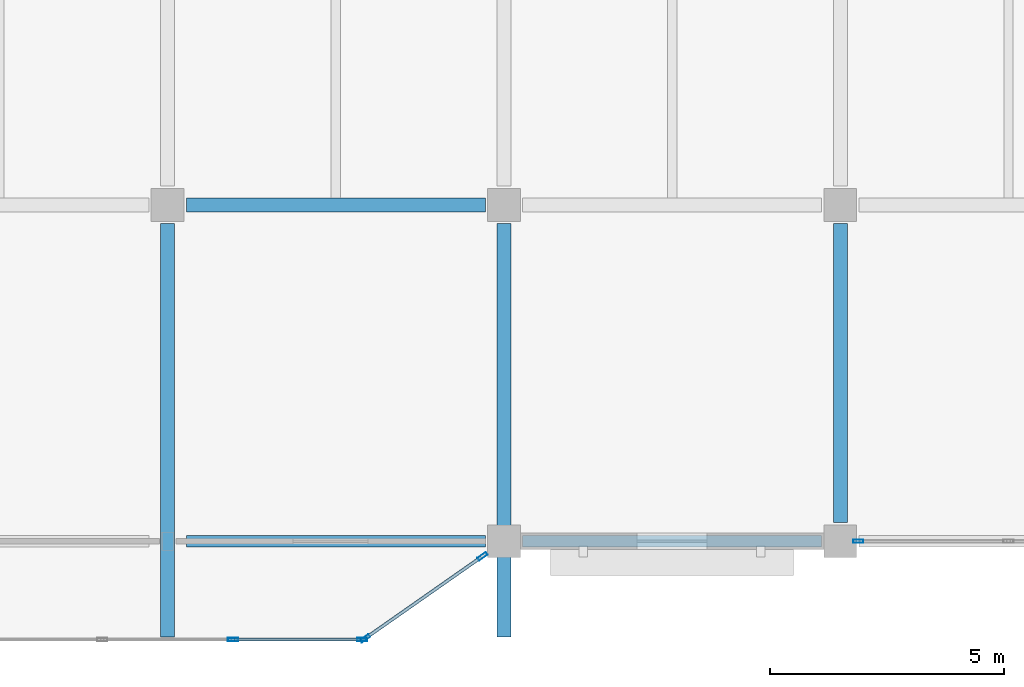
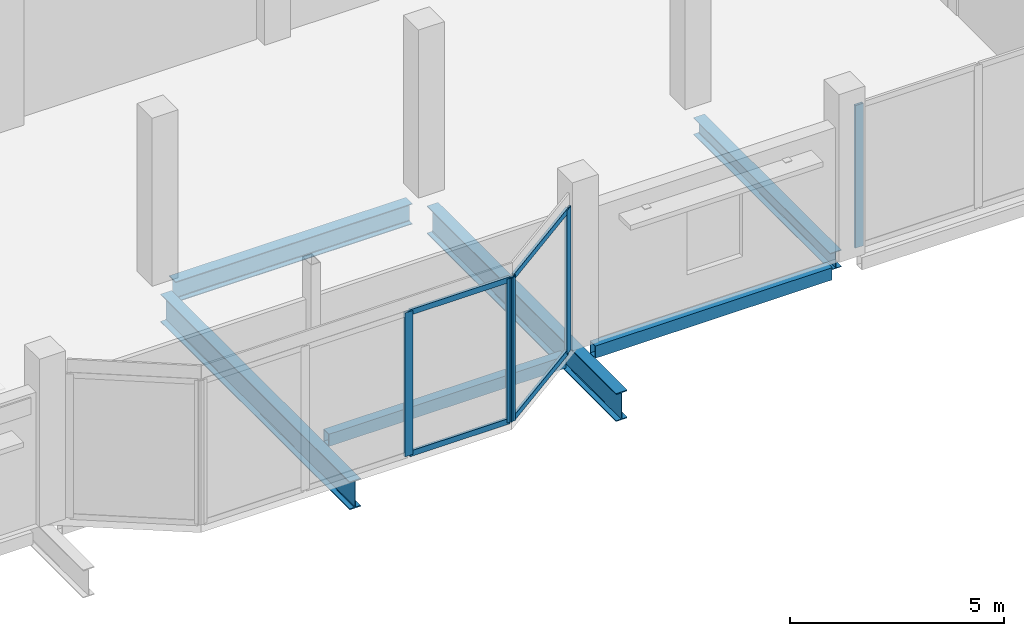
# One storey, part 65 of 120: 9 members, 6 beams, 3 elements without a shape of their own.
"""IFC4 building model written with IfcOpenShell, lengths in metres."""

from ifc_helpers import new_model, si_unit, direction, frame, origin, origin_2d, place, context, subcontext, project, spatial, hollow_rectangle, i_section, extrude, material, material_profile, profile_set, type_object, element, aggregate, save


model = new_model("IFC4")

# Units and contexts
model_context = context("Model", 3, precision=1e-05, world=origin(), true_north=direction((0.0, 1.0)))
body_context = subcontext(model_context, "Body", "Model", "MODEL_VIEW")
ifc_project = project(units=[si_unit("LENGTHUNIT", "METRE"), si_unit("AREAUNIT", "SQUARE_METRE"), si_unit("VOLUMEUNIT", "CUBIC_METRE"), si_unit("PLANEANGLEUNIT", "RADIAN"), si_unit("MASSUNIT", "GRAM", prefix="KILO")], contexts=[model_context])

# Site, building, storey
site_placement = place(None, origin())
site = spatial("IfcSite", under=ifc_project, at=site_placement, CompositionType="ELEMENT")
building_placement = place(site_placement, origin())
building = spatial("IfcBuilding", under=site, at=building_placement, Name="Vesperath Aquatics Centre", CompositionType="ELEMENT")
storey_placement = place(building_placement, frame((0.0, 0.0, 10.199951171875)))
storey = spatial("IfcBuildingStorey", under=building, at=storey_placement, Name="L02", CompositionType="ELEMENT", Elevation=10.199951171875)

# Beams
ifc_material_1 = material(Name="Steel Q355D", Category="steel")
ifc_material_profile_1 = material_profile(ifc_material_1, i_section(OverallWidth=0.300048828125, OverallDepth=0.800048828125, WebThickness=0.013916015625, FlangeThickness=0.02587890625, FilletRadius=0.028076171875, at=origin_2d()), Name="HN 800x300x14x26")
ifc_profile_set_1 = profile_set([ifc_material_profile_1], Name="Steel Q355D")
beam_type_1 = type_object("IfcBeamType", Name="BM-G07", PredefinedType="BEAM", material=ifc_profile_set_1)
for number, where, z_axis, x_axis, name in (
    (1, (144.0, -2.050048828125, -0.659912109375), (0.0, 1.0, 0.0), (-1.0, 0.0, 0.0), "Floor Girder B07 L02 21 A-B"),
    (2, (151.199951171875, -2.050048828125, -0.659912109375), (0.0, 1.0, 0.0), (-1.0, 0.0, 0.0), "Floor Girder B07 L02 22 A-B"),
):
    element("IfcBeam", number, at=place(storey_placement, frame(where, z_axis=z_axis, x_axis=x_axis)), inside=storey, type_object=beam_type_1, Name=name, PredefinedType="BEAM", context=body_context, shape_type="SweptSolid", body=[
        extrude(i_section(OverallWidth=0.300048828125, OverallDepth=0.800048828125, WebThickness=0.013916015625, FlangeThickness=0.02587890625, FilletRadius=0.028076171875, at=origin_2d()), origin(), (0.0, 0.0, 1.0), 8.85009765625),
    ])
ifc_material_2 = material(Name="Steel Q355C", Category="steel")
ifc_material_profile_2 = material_profile(ifc_material_2, i_section(OverallWidth=0.300048828125, OverallDepth=0.587890625, WebThickness=0.011962890625, FlangeThickness=0.02001953125, FilletRadius=0.028076171875, at=origin_2d()), Name="HM 588x300x12x20")
ifc_profile_set_2 = profile_set([ifc_material_profile_2], Name="Steel Q355C")
beam_type_2 = type_object("IfcBeamType", Name="BM-G09", PredefinedType="BEAM", material=ifc_profile_set_2)
beam_1_placement = place(storey_placement, frame((144.39990234375, 7.199951171875, -0.553955078125), z_axis=(1.0, 0.0, 0.0), x_axis=(0.0, 1.0, 0.0)))
element("IfcBeam", 3, at=beam_1_placement, inside=storey, type_object=beam_type_2, Name="Floor Girder B09 L02 B 21-22", PredefinedType="BEAM", context=body_context, shape_type="SweptSolid", body=[
    extrude(i_section(OverallWidth=0.300048828125, OverallDepth=0.587890625, WebThickness=0.011962890625, FlangeThickness=0.02001953125, FilletRadius=0.028076171875, at=origin_2d()), origin(), (0.0, 0.0, 1.0), 6.400146484375),
])
ifc_material_profile_3 = material_profile(ifc_material_2, i_section(OverallWidth=0.300048828125, OverallDepth=0.488037109375, WebThickness=0.010986328125, FlangeThickness=0.01806640625, FilletRadius=0.02587890625, at=origin_2d()), Name="HM 488x300x11x18")
ifc_profile_set_3 = profile_set([ifc_material_profile_3], Name="Steel Q355C")
beam_type_3 = type_object("IfcBeamType", Name="BM-G10", PredefinedType="BEAM", material=ifc_profile_set_3)
beam_2_placement = place(storey_placement, frame((158.39990234375, 0.39990234375, -0.50390625), z_axis=(0.0, 1.0, 0.0), x_axis=(-1.0, 0.0, 0.0)))
element("IfcBeam", 4, at=beam_2_placement, inside=storey, type_object=beam_type_3, Name="Floor Girder B10 L02 23 A-B", PredefinedType="BEAM", context=body_context, shape_type="SweptSolid", body=[
    extrude(i_section(OverallWidth=0.300048828125, OverallDepth=0.488037109375, WebThickness=0.010986328125, FlangeThickness=0.01806640625, FilletRadius=0.02587890625, at=origin_2d()), origin(), (0.0, 0.0, 1.0), 6.400146484375),
])
ifc_material_profile_4 = material_profile(ifc_material_1, hollow_rectangle(XDim=0.25, YDim=0.35009765625, WallThickness=0.011962890625, at=origin_2d()), Name="RHS 350x250x12")
ifc_profile_set_4 = profile_set([ifc_material_profile_4], Name="Steel Q355D")
beam_type_4 = type_object("IfcBeamType", Name="BM-SP02", PredefinedType="SPANDREL", material=ifc_profile_set_4)
beam_3_placement = place(storey_placement, frame((144.39990234375, 0.0, -0.43505859375), z_axis=(1.0, 0.0, 0.0), x_axis=(0.0, 1.0, 0.0)))
element("IfcBeam", 5, at=beam_3_placement, inside=storey, type_object=beam_type_4, Name="Floor Girder SP02 L02 A 21-22", PredefinedType="SPANDREL", context=body_context, shape_type="SweptSolid", body=[
    extrude(hollow_rectangle(XDim=0.25, YDim=0.35009765625, WallThickness=0.011962890625, at=origin_2d()), origin(), (0.0, 0.0, 1.0), 6.400146484375),
])
beam_4_placement = place(storey_placement, frame((151.60009765625, 0.0, -0.43505859375), z_axis=(1.0, 0.0, 0.0), x_axis=(0.0, 1.0, 0.0)))
element("IfcBeam", 6, at=beam_4_placement, inside=storey, type_object=beam_type_4, Name="Floor Girder SP02 L02 A 22-23", PredefinedType="SPANDREL", context=body_context, shape_type="SweptSolid", body=[
    extrude(hollow_rectangle(XDim=0.25, YDim=0.35009765625, WallThickness=0.011962890625, at=origin_2d()), origin(), (0.0, 0.0, 1.0), 6.39990234375),
])

# Curtain wall, member
ifc_material_3 = material(Name="Thermally broken anodised bronze aluminium curtain wall", Category="aluminium")
curtain_wall_type_1 = type_object("IfcCurtainWallType", Name="CW-06", PredefinedType="NOTDEFINED", material=ifc_material_3)
curtain_wall_1_placement = place(storey_placement, origin())
curtain_wall_1 = element("IfcCurtainWall", 7, at=curtain_wall_1_placement, inside=storey, type_object=curtain_wall_type_1, Name="Facade Curtain Wall CW06 L02_S_22_00", PredefinedType="NOTDEFINED")
ifc_material_4 = material(Name="Thermally broken anodised aluminium", Category="aluminium")
ifc_material_profile_5 = material_profile(ifc_material_4, hollow_rectangle(XDim=0.070068359375, YDim=0.219970703125, WallThickness=0.0048828125, at=origin_2d()), Name="CWM 70x220x5")
ifc_profile_set_5 = profile_set([ifc_material_profile_5], Name="Thermally broken anodised aluminium")
member_type_1 = type_object("IfcMemberType", Name="MB-CWM2", PredefinedType="MULLION", material=ifc_profile_set_5)
member_1_placement = place(storey_placement, frame((158.784912109375, 0.0, 0.0), z_axis=(0.0, 0.0, 1.0), x_axis=(0.0, 1.0, 0.0)))
member_1 = element("IfcMember", 8, at=member_1_placement, type_object=member_type_1, Name="CW06 mullion 1", PredefinedType="MULLION", context=body_context, shape_type="SweptSolid", body=[
    extrude(hollow_rectangle(XDim=0.070068359375, YDim=0.219970703125, WallThickness=0.0048828125, at=origin_2d()), origin(), (0.0, 0.0, 1.0), 4.072021484375),
])
aggregate(curtain_wall_1, [member_1])

# Curtain wall, members
curtain_wall_type_2 = type_object("IfcCurtainWallType", Name="CW-02", PredefinedType="NOTDEFINED", material=ifc_material_3)
curtain_wall_2_placement = place(storey_placement, origin())
curtain_wall_2 = element("IfcCurtainWall", 9, at=curtain_wall_2_placement, inside=storey, type_object=curtain_wall_type_2, Name="South Boulevard Bow Oriel Curtain Wall L02-C", PredefinedType="NOTDEFINED")
member_2_placement = place(storey_placement, frame((145.39990234375, -2.10009765625, 0.0), z_axis=(0.0, 0.0, 1.0), x_axis=(0.0, 1.0, 0.0)))
member_2 = element("IfcMember", 10, at=member_2_placement, type_object=member_type_1, Name="CW02 mullion 3", PredefinedType="MULLION", context=body_context, shape_type="SweptSolid", body=[
    extrude(hollow_rectangle(XDim=0.070068359375, YDim=0.219970703125, WallThickness=0.0048828125, at=origin_2d()), origin(), (0.0, 0.0, 1.0), 4.110107421875),
])
member_3_placement = place(storey_placement, frame((148.1650390625, -2.10009765625, 0.0), z_axis=(0.0, 0.0, 1.0), x_axis=(0.0, 1.0, 0.0)))
member_3 = element("IfcMember", 11, at=member_3_placement, type_object=member_type_1, Name="CW02 mullion 4", PredefinedType="MULLION", context=body_context, shape_type="SweptSolid", body=[
    extrude(hollow_rectangle(XDim=0.070068359375, YDim=0.219970703125, WallThickness=0.0048828125, at=origin_2d()), origin(), (0.0, 0.0, 1.0), 4.110107421875),
])

curtain_wall_3_placement = place(storey_placement, origin())
curtain_wall_3 = element("IfcCurtainWall", 12, at=curtain_wall_3_placement, inside=storey, type_object=curtain_wall_type_2, Name="South Boulevard Bow Oriel Curtain Wall L02-E", PredefinedType="NOTDEFINED")
member_4_placement = place(storey_placement, frame((148.228759765625, -2.079833984375, 0.0), z_axis=(0.0, 0.0, 1.0), x_axis=(-0.57346234437, 0.819231920515, 0.0)))
member_4 = element("IfcMember", 13, at=member_4_placement, type_object=member_type_1, Name="CW02 mullion 1", PredefinedType="MULLION", context=body_context, shape_type="SweptSolid", body=[
    extrude(hollow_rectangle(XDim=0.070068359375, YDim=0.219970703125, WallThickness=0.0048828125, at=origin_2d()), origin(), (0.0, 0.0, 1.0), 4.110107421875),
])
member_5_placement = place(storey_placement, frame((150.7412109375, -0.321044921875, 0.0), z_axis=(0.0, 0.0, 1.0), x_axis=(-0.57346234437, 0.819231920515, 0.0)))
member_5 = element("IfcMember", 14, at=member_5_placement, type_object=member_type_1, Name="CW02 mullion 2", PredefinedType="MULLION", context=body_context, shape_type="SweptSolid", body=[
    extrude(hollow_rectangle(XDim=0.070068359375, YDim=0.219970703125, WallThickness=0.0048828125, at=origin_2d()), origin(), (0.0, 0.0, 1.0), 4.110107421875),
])

# Member
ifc_material_profile_6 = material_profile(ifc_material_4, hollow_rectangle(XDim=0.070068359375, YDim=0.159912109375, WallThickness=0.0048828125, at=origin_2d()), Name="CWT 70x160x5")
ifc_profile_set_6 = profile_set([ifc_material_profile_6], Name="Thermally broken anodised aluminium")
member_type_2 = type_object("IfcMemberType", Name="MB-CWT2", PredefinedType="USERDEFINED", material=ifc_profile_set_6)
member_6_placement = place(storey_placement, frame((145.43505859375, -2.10009765625, 0.03515625), z_axis=(1.0, 0.0, 0.0), x_axis=(0.0, 1.0, 0.0)))
member_6 = element("IfcMember", 15, at=member_6_placement, type_object=member_type_2, Name="CW02 transom 3.1", ObjectType="TRANSOM", PredefinedType="USERDEFINED", context=body_context, shape_type="SweptSolid", body=[
    extrude(hollow_rectangle(XDim=0.070068359375, YDim=0.159912109375, WallThickness=0.0048828125, at=origin_2d()), origin(), (0.0, 0.0, 1.0), 2.69482421875),
])

member_7_placement = place(storey_placement, frame((145.43505859375, -2.10009765625, 4.074951171875), z_axis=(1.0, 0.0, 0.0), x_axis=(0.0, 1.0, 0.0)))
member_7 = element("IfcMember", 16, at=member_7_placement, type_object=member_type_2, Name="CW02 transom 3.2", ObjectType="TRANSOM", PredefinedType="USERDEFINED", context=body_context, shape_type="SweptSolid", body=[
    extrude(hollow_rectangle(XDim=0.070068359375, YDim=0.159912109375, WallThickness=0.0048828125, at=origin_2d()), origin(), (0.0, 0.0, 1.0), 2.69482421875),
])

aggregate(curtain_wall_2, [member_2, member_3, member_6, member_7])

member_8_placement = place(storey_placement, frame((148.25732421875, -2.059814453125, 0.03515625), z_axis=(0.819228093592, 0.573467811364, 0.0), x_axis=(-0.573467811364, 0.819228093592, 0.0)))
member_8 = element("IfcMember", 17, at=member_8_placement, type_object=member_type_2, Name="CW02 transom 1.1", ObjectType="TRANSOM", PredefinedType="USERDEFINED", context=body_context, shape_type="SweptSolid", body=[
    extrude(hollow_rectangle(XDim=0.070068359375, YDim=0.159912109375, WallThickness=0.0048828125, at=origin_2d()), origin(), (0.0, 0.0, 1.0), 2.9970703125),
])

member_9_placement = place(storey_placement, frame((148.25732421875, -2.059814453125, 4.074951171875), z_axis=(0.819228093592, 0.573467811364, 0.0), x_axis=(-0.573467811364, 0.819228093592, 0.0)))
member_9 = element("IfcMember", 18, at=member_9_placement, type_object=member_type_2, Name="CW02 transom 1.2", ObjectType="TRANSOM", PredefinedType="USERDEFINED", context=body_context, shape_type="SweptSolid", body=[
    extrude(hollow_rectangle(XDim=0.070068359375, YDim=0.159912109375, WallThickness=0.0048828125, at=origin_2d()), origin(), (0.0, 0.0, 1.0), 2.9970703125),
])

aggregate(curtain_wall_3, [member_4, member_5, member_8, member_9])

save(model, "model.ifc")
